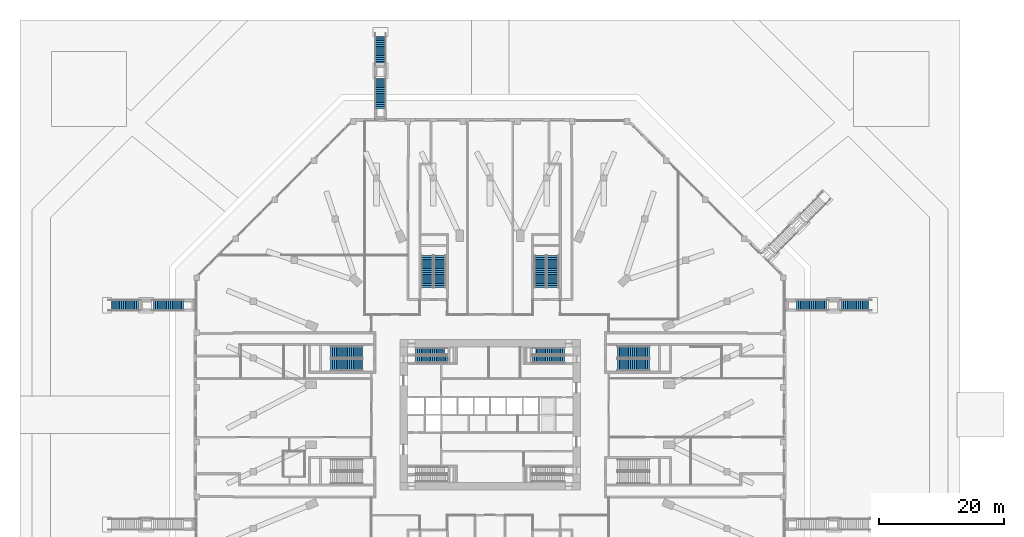
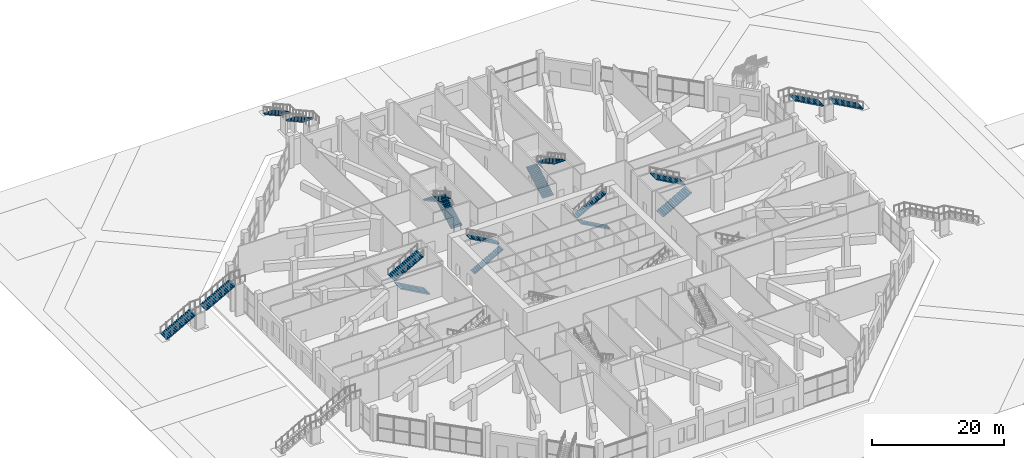
# One storey, part 30 of 36: 18 stair flights, 9 elements without a shape of their own.
"""IFC4 building model written with IfcOpenShell, lengths in metres."""

from ifc_helpers import new_model, si_unit, direction, frame, origin, place, context, subcontext, project, spatial, polyline, outline, extrude, material, constituent, constituent_set, type_object, element, aggregate, save


model = new_model("IFC4")

# Units and contexts
model_context = context("Model", 3, precision=1e-05, world=origin(), true_north=direction((0.0, 1.0)))
body_context = subcontext(model_context, "Body", "Model", "MODEL_VIEW")
ifc_project = project(units=[si_unit("LENGTHUNIT", "METRE"), si_unit("AREAUNIT", "SQUARE_METRE"), si_unit("VOLUMEUNIT", "CUBIC_METRE"), si_unit("PLANEANGLEUNIT", "RADIAN"), si_unit("MASSUNIT", "GRAM", prefix="KILO")], contexts=[model_context])

# Site, building, storey
site_placement = place(None, origin())
site = spatial("IfcSite", under=ifc_project, at=site_placement, CompositionType="ELEMENT")
building_placement = place(site_placement, origin())
building = spatial("IfcBuilding", under=site, at=building_placement, Name="Msitu Wima Residences", CompositionType="ELEMENT")
storey_placement = place(building_placement, origin())
storey = spatial("IfcBuildingStorey", under=building, at=storey_placement, Name="L00", CompositionType="ELEMENT", Elevation=0.0)

# Stair, stair flights
ifc_material_1 = material(Name="Concrete C40/50", Category="concrete")
stair_type_1 = type_object("IfcStairType", Name="Exit stair ES1667-110", PredefinedType="HALF_TURN_STAIR", material=ifc_material_1)
stair_1_placement = place(storey_placement, origin())
stair_1 = element("IfcStair", 1, at=stair_1_placement, inside=storey, type_object=stair_type_1, Name="Exit stair 1", PredefinedType="HALF_TURN_STAIR")
stair_flight_type_1 = type_object("IfcStairFlightType", Name="Exit stair flight ES1667-110", PredefinedType="STRAIGHT", material=ifc_material_1)
stair_flight_1_placement = place(storey_placement, frame((-11.875, 8.875, 0.0), z_axis=(0.0, 0.0, 1.0), x_axis=(1.0, 0.0, 0.0)))
stair_flight_1 = element("IfcStairFlight", 2, at=stair_flight_1_placement, type_object=stair_flight_type_1, Name="S1 flight 1", NumberOfRisers=18, NumberOfTreads=17, PredefinedType="STRAIGHT", RiserHeight=0.166666667, TreadLength=0.3, context=body_context, shape_type="SweptSolid", body=[
    extrude(outline(polyline([(0.0, 0.0), (0.0, 0.166748046875), (0.300048828125, 0.166748046875), (0.300048828125, 0.333251953125), (0.60009765625, 0.333251953125), (0.60009765625, 0.5), (0.89990234375, 0.5), (0.89990234375, 0.666748046875), (1.199951171875, 0.666748046875), (1.199951171875, 0.833251953125), (1.5, 0.833251953125), (1.5, 1.0), (1.800048828125, 1.0), (1.800048828125, 1.166748046875), (2.10009765625, 1.166748046875), (2.10009765625, 1.333251953125), (2.39990234375, 1.333251953125), (2.39990234375, 1.5), (2.699951171875, 1.5), (2.699951171875, 1.666748046875), (3.0, 1.666748046875), (3.0, 1.833251953125), (3.300048828125, 1.833251953125), (3.300048828125, 2.0), (3.60009765625, 2.0), (3.60009765625, 2.166748046875), (3.89990234375, 2.166748046875), (3.89990234375, 2.333251953125), (4.199951171875, 2.333251953125), (4.199951171875, 2.5), (4.5, 2.5), (4.5, 2.666748046875), (4.800048828125, 2.666748046875), (4.800048828125, 2.833251953125), (5.10009765625, 2.833251953125), (5.10009765625, 3.0), (5.10009765625, 2.661865234375), (0.30859375, 0.0), (0.0, 0.0)])), frame((0.0, 0.550048828125, 0.0), z_axis=(0.0, -1.0, 0.0), x_axis=(1.0, 0.0, 0.0)), (0.0, 0.0, 1.0), 1.10009765625),
])
stair_flight_2_placement = place(storey_placement, frame((-6.77490234375, 10.125, 3.0), z_axis=(0.0, 0.0, 1.0), x_axis=(-1.0, 0.0, 0.0)))
stair_flight_2 = element("IfcStairFlight", 3, at=stair_flight_2_placement, type_object=stair_flight_type_1, Name="S1 flight 2", NumberOfRisers=18, NumberOfTreads=17, PredefinedType="STRAIGHT", RiserHeight=0.166666667, TreadLength=0.3, context=body_context, shape_type="SweptSolid", body=[
    extrude(outline(polyline([(0.0, 0.0), (0.0, 0.166748046875), (0.300048828125, 0.166748046875), (0.300048828125, 0.333251953125), (0.60009765625, 0.333251953125), (0.60009765625, 0.5), (0.89990234375, 0.5), (0.89990234375, 0.666748046875), (1.199951171875, 0.666748046875), (1.199951171875, 0.833251953125), (1.5, 0.833251953125), (1.5, 1.0), (1.800048828125, 1.0), (1.800048828125, 1.166748046875), (2.10009765625, 1.166748046875), (2.10009765625, 1.333251953125), (2.39990234375, 1.333251953125), (2.39990234375, 1.5), (2.699951171875, 1.5), (2.699951171875, 1.666748046875), (3.0, 1.666748046875), (3.0, 1.833251953125), (3.300048828125, 1.833251953125), (3.300048828125, 2.0), (3.60009765625, 2.0), (3.60009765625, 2.166748046875), (3.89990234375, 2.166748046875), (3.89990234375, 2.333251953125), (4.199951171875, 2.333251953125), (4.199951171875, 2.5), (4.5, 2.5), (4.5, 2.666748046875), (4.800048828125, 2.666748046875), (4.800048828125, 2.833251953125), (5.10009765625, 2.833251953125), (5.10009765625, 3.0), (5.10009765625, 2.661865234375), (0.30859375, 0.0), (0.0, 0.0)])), frame((0.0, 0.550048828125, 0.0), z_axis=(0.0, -1.0, 0.0), x_axis=(1.0, 0.0, 0.0)), (0.0, 0.0, 1.0), 1.10009765625),
])
aggregate(stair_1, [stair_flight_1, stair_flight_2])

stair_2_placement = place(storey_placement, origin())
stair_2 = element("IfcStair", 4, at=stair_2_placement, inside=storey, type_object=stair_type_1, Name="Exit stair 3", PredefinedType="HALF_TURN_STAIR")
stair_flight_3_placement = place(storey_placement, frame((11.875, 8.875, 0.0), z_axis=(0.0, 0.0, 1.0), x_axis=(-1.0, 0.0, 0.0)))
stair_flight_3 = element("IfcStairFlight", 5, at=stair_flight_3_placement, type_object=stair_flight_type_1, Name="S3 flight 1", NumberOfRisers=18, NumberOfTreads=17, PredefinedType="STRAIGHT", RiserHeight=0.166666667, TreadLength=0.3, context=body_context, shape_type="SweptSolid", body=[
    extrude(outline(polyline([(0.0, 0.0), (0.0, 0.166748046875), (0.300048828125, 0.166748046875), (0.300048828125, 0.333251953125), (0.60009765625, 0.333251953125), (0.60009765625, 0.5), (0.89990234375, 0.5), (0.89990234375, 0.666748046875), (1.199951171875, 0.666748046875), (1.199951171875, 0.833251953125), (1.5, 0.833251953125), (1.5, 1.0), (1.800048828125, 1.0), (1.800048828125, 1.166748046875), (2.10009765625, 1.166748046875), (2.10009765625, 1.333251953125), (2.39990234375, 1.333251953125), (2.39990234375, 1.5), (2.699951171875, 1.5), (2.699951171875, 1.666748046875), (3.0, 1.666748046875), (3.0, 1.833251953125), (3.300048828125, 1.833251953125), (3.300048828125, 2.0), (3.60009765625, 2.0), (3.60009765625, 2.166748046875), (3.89990234375, 2.166748046875), (3.89990234375, 2.333251953125), (4.199951171875, 2.333251953125), (4.199951171875, 2.5), (4.5, 2.5), (4.5, 2.666748046875), (4.800048828125, 2.666748046875), (4.800048828125, 2.833251953125), (5.10009765625, 2.833251953125), (5.10009765625, 3.0), (5.10009765625, 2.661865234375), (0.30859375, 0.0), (0.0, 0.0)])), frame((0.0, 0.550048828125, 0.0), z_axis=(0.0, -1.0, 0.0), x_axis=(1.0, 0.0, 0.0)), (0.0, 0.0, 1.0), 1.10009765625),
])
stair_flight_4_placement = place(storey_placement, frame((6.77490234375, 10.125, 3.0), z_axis=(0.0, 0.0, 1.0), x_axis=(1.0, 0.0, 0.0)))
stair_flight_4 = element("IfcStairFlight", 6, at=stair_flight_4_placement, type_object=stair_flight_type_1, Name="S3 flight 2", NumberOfRisers=18, NumberOfTreads=17, PredefinedType="STRAIGHT", RiserHeight=0.166666667, TreadLength=0.3, context=body_context, shape_type="SweptSolid", body=[
    extrude(outline(polyline([(0.0, 0.0), (0.0, 0.166748046875), (0.300048828125, 0.166748046875), (0.300048828125, 0.333251953125), (0.60009765625, 0.333251953125), (0.60009765625, 0.5), (0.89990234375, 0.5), (0.89990234375, 0.666748046875), (1.199951171875, 0.666748046875), (1.199951171875, 0.833251953125), (1.5, 0.833251953125), (1.5, 1.0), (1.800048828125, 1.0), (1.800048828125, 1.166748046875), (2.10009765625, 1.166748046875), (2.10009765625, 1.333251953125), (2.39990234375, 1.333251953125), (2.39990234375, 1.5), (2.699951171875, 1.5), (2.699951171875, 1.666748046875), (3.0, 1.666748046875), (3.0, 1.833251953125), (3.300048828125, 1.833251953125), (3.300048828125, 2.0), (3.60009765625, 2.0), (3.60009765625, 2.166748046875), (3.89990234375, 2.166748046875), (3.89990234375, 2.333251953125), (4.199951171875, 2.333251953125), (4.199951171875, 2.5), (4.5, 2.5), (4.5, 2.666748046875), (4.800048828125, 2.666748046875), (4.800048828125, 2.833251953125), (5.10009765625, 2.833251953125), (5.10009765625, 3.0), (5.10009765625, 2.661865234375), (0.30859375, 0.0), (0.0, 0.0)])), frame((0.0, 0.550048828125, 0.0), z_axis=(0.0, -1.0, 0.0), x_axis=(1.0, 0.0, 0.0)), (0.0, 0.0, 1.0), 1.10009765625),
])
aggregate(stair_2, [stair_flight_3, stair_flight_4])

ifc_constituent_1 = constituent(ifc_material_1, Name="Concrete C40/50")
ifc_material_2 = material(Name="Exposed aggregate finish")
ifc_constituent_2 = constituent(ifc_material_2, Name="Exposed aggregate finish")
ifc_constituent_set_1 = constituent_set(constituents=[ifc_constituent_1, ifc_constituent_2], Name="Concrete C40/50")
stair_type_2 = type_object("IfcStairType", Name="Garden stair GX1667-180", PredefinedType="STRAIGHT_RUN_STAIR", material=ifc_constituent_set_1)
stair_3_placement = place(storey_placement, origin())
stair_3 = element("IfcStair", 7, at=stair_3_placement, inside=storey, type_object=stair_type_2, Name="Garden stair 1", PredefinedType="STRAIGHT_RUN_STAIR")
ifc_constituent_3 = constituent(ifc_material_1, Name="Concrete C40/50")
ifc_constituent_4 = constituent(ifc_material_2, Name="Exposed aggregate finish")
ifc_constituent_set_2 = constituent_set(constituents=[ifc_constituent_3, ifc_constituent_4], Name="Concrete C40/50")
stair_flight_type_2 = type_object("IfcStairFlightType", Name="Garden stair flight GX1667-180", PredefinedType="STRAIGHT", material=ifc_constituent_set_2)
stair_flight_5_placement = place(storey_placement, frame((60.89990234375, 17.484619140625, 0.0), z_axis=(0.0, 0.0, 1.0), x_axis=(-1.0, 0.0, 0.0)))
stair_flight_5 = element("IfcStairFlight", 8, at=stair_flight_5_placement, type_object=stair_flight_type_2, Name="GS1 flight 1", NumberOfRisers=18, NumberOfTreads=17, PredefinedType="STRAIGHT", RiserHeight=0.166667, TreadLength=0.3, context=body_context, shape_type="SweptSolid", body=[
    extrude(outline(polyline([(0.0, 0.0), (0.0, 0.166748046875), (0.300048828125, 0.166748046875), (0.300048828125, 0.333251953125), (0.60009765625, 0.333251953125), (0.60009765625, 0.5), (0.89990234375, 0.5), (0.89990234375, 0.666748046875), (1.199951171875, 0.666748046875), (1.199951171875, 0.833251953125), (1.5, 0.833251953125), (1.5, 1.0), (1.800048828125, 1.0), (1.800048828125, 1.166748046875), (2.10009765625, 1.166748046875), (2.10009765625, 1.333251953125), (2.39990234375, 1.333251953125), (2.39990234375, 1.5), (2.699951171875, 1.5), (2.699951171875, 1.666748046875), (3.0, 1.666748046875), (3.0, 1.833251953125), (3.300048828125, 1.833251953125), (3.300048828125, 2.0), (3.60009765625, 2.0), (3.60009765625, 2.166748046875), (3.89990234375, 2.166748046875), (3.89990234375, 2.333251953125), (4.199951171875, 2.333251953125), (4.199951171875, 2.5), (4.5, 2.5), (4.5, 2.666748046875), (4.800048828125, 2.666748046875), (4.800048828125, 2.833251953125), (5.10009765625, 2.833251953125), (5.10009765625, 3.0), (5.10009765625, 2.661865234375), (0.30859375, 0.0), (0.0, 0.0)])), frame((0.0, 0.89990234375, 0.0), z_axis=(0.0, -1.0, 0.0), x_axis=(1.0, 0.0, 0.0)), (0.0, 0.0, 1.0), 1.800048828125),
])
stair_flight_6_placement = place(storey_placement, frame((54.0, 17.484619140625, 3.0), z_axis=(0.0, 0.0, 1.0), x_axis=(-1.0, 0.0, 0.0)))
stair_flight_6 = element("IfcStairFlight", 9, at=stair_flight_6_placement, type_object=stair_flight_type_2, Name="GS1 flight 2", NumberOfRisers=18, NumberOfTreads=17, PredefinedType="STRAIGHT", RiserHeight=0.166667, TreadLength=0.3, context=body_context, shape_type="SweptSolid", body=[
    extrude(outline(polyline([(0.0, 0.0), (0.0, 0.166748046875), (0.300048828125, 0.166748046875), (0.300048828125, 0.333251953125), (0.60009765625, 0.333251953125), (0.60009765625, 0.5), (0.89990234375, 0.5), (0.89990234375, 0.666748046875), (1.199951171875, 0.666748046875), (1.199951171875, 0.833251953125), (1.5, 0.833251953125), (1.5, 1.0), (1.800048828125, 1.0), (1.800048828125, 1.166748046875), (2.10009765625, 1.166748046875), (2.10009765625, 1.333251953125), (2.39990234375, 1.333251953125), (2.39990234375, 1.5), (2.699951171875, 1.5), (2.699951171875, 1.666748046875), (3.0, 1.666748046875), (3.0, 1.833251953125), (3.300048828125, 1.833251953125), (3.300048828125, 2.0), (3.60009765625, 2.0), (3.60009765625, 2.166748046875), (3.89990234375, 2.166748046875), (3.89990234375, 2.333251953125), (4.199951171875, 2.333251953125), (4.199951171875, 2.5), (4.5, 2.5), (4.5, 2.666748046875), (4.800048828125, 2.666748046875), (4.800048828125, 2.833251953125), (5.10009765625, 2.833251953125), (5.10009765625, 3.0), (5.10009765625, 2.661865234375), (0.30859375, 0.0), (0.0, 0.0)])), frame((0.0, 0.89990234375, 0.0), z_axis=(0.0, -1.0, 0.0), x_axis=(1.0, 0.0, 0.0)), (0.0, 0.0, 1.0), 1.800048828125),
])
aggregate(stair_3, [stair_flight_5, stair_flight_6])

stair_4_placement = place(storey_placement, origin())
stair_4 = element("IfcStair", 10, at=stair_4_placement, inside=storey, type_object=stair_type_2, Name="Garden stair 4", PredefinedType="STRAIGHT_RUN_STAIR")
stair_flight_7_placement = place(storey_placement, frame((-60.89990234375, 17.484619140625, 0.0), z_axis=(0.0, 0.0, 1.0), x_axis=(1.0, 0.0, 0.0)))
stair_flight_7 = element("IfcStairFlight", 11, at=stair_flight_7_placement, type_object=stair_flight_type_2, Name="GS4 flight 1", NumberOfRisers=18, NumberOfTreads=17, PredefinedType="STRAIGHT", RiserHeight=0.166667, TreadLength=0.3, context=body_context, shape_type="SweptSolid", body=[
    extrude(outline(polyline([(0.0, 0.0), (0.0, 0.166748046875), (0.300048828125, 0.166748046875), (0.300048828125, 0.333251953125), (0.60009765625, 0.333251953125), (0.60009765625, 0.5), (0.89990234375, 0.5), (0.89990234375, 0.666748046875), (1.199951171875, 0.666748046875), (1.199951171875, 0.833251953125), (1.5, 0.833251953125), (1.5, 1.0), (1.800048828125, 1.0), (1.800048828125, 1.166748046875), (2.10009765625, 1.166748046875), (2.10009765625, 1.333251953125), (2.39990234375, 1.333251953125), (2.39990234375, 1.5), (2.699951171875, 1.5), (2.699951171875, 1.666748046875), (3.0, 1.666748046875), (3.0, 1.833251953125), (3.300048828125, 1.833251953125), (3.300048828125, 2.0), (3.60009765625, 2.0), (3.60009765625, 2.166748046875), (3.89990234375, 2.166748046875), (3.89990234375, 2.333251953125), (4.199951171875, 2.333251953125), (4.199951171875, 2.5), (4.5, 2.5), (4.5, 2.666748046875), (4.800048828125, 2.666748046875), (4.800048828125, 2.833251953125), (5.10009765625, 2.833251953125), (5.10009765625, 3.0), (5.10009765625, 2.661865234375), (0.30859375, 0.0), (0.0, 0.0)])), frame((0.0, 0.89990234375, 0.0), z_axis=(0.0, -1.0, 0.0), x_axis=(1.0, 0.0, 0.0)), (0.0, 0.0, 1.0), 1.800048828125),
])
stair_flight_8_placement = place(storey_placement, frame((-54.0, 17.484619140625, 3.0), z_axis=(0.0, 0.0, 1.0), x_axis=(1.0, 0.0, 0.0)))
stair_flight_8 = element("IfcStairFlight", 12, at=stair_flight_8_placement, type_object=stair_flight_type_2, Name="GS4 flight 2", NumberOfRisers=18, NumberOfTreads=17, PredefinedType="STRAIGHT", RiserHeight=0.166667, TreadLength=0.3, context=body_context, shape_type="SweptSolid", body=[
    extrude(outline(polyline([(0.0, 0.0), (0.0, 0.166748046875), (0.300048828125, 0.166748046875), (0.300048828125, 0.333251953125), (0.60009765625, 0.333251953125), (0.60009765625, 0.5), (0.89990234375, 0.5), (0.89990234375, 0.666748046875), (1.199951171875, 0.666748046875), (1.199951171875, 0.833251953125), (1.5, 0.833251953125), (1.5, 1.0), (1.800048828125, 1.0), (1.800048828125, 1.166748046875), (2.10009765625, 1.166748046875), (2.10009765625, 1.333251953125), (2.39990234375, 1.333251953125), (2.39990234375, 1.5), (2.699951171875, 1.5), (2.699951171875, 1.666748046875), (3.0, 1.666748046875), (3.0, 1.833251953125), (3.300048828125, 1.833251953125), (3.300048828125, 2.0), (3.60009765625, 2.0), (3.60009765625, 2.166748046875), (3.89990234375, 2.166748046875), (3.89990234375, 2.333251953125), (4.199951171875, 2.333251953125), (4.199951171875, 2.5), (4.5, 2.5), (4.5, 2.666748046875), (4.800048828125, 2.666748046875), (4.800048828125, 2.833251953125), (5.10009765625, 2.833251953125), (5.10009765625, 3.0), (5.10009765625, 2.661865234375), (0.30859375, 0.0), (0.0, 0.0)])), frame((0.0, 0.89990234375, 0.0), z_axis=(0.0, -1.0, 0.0), x_axis=(1.0, 0.0, 0.0)), (0.0, 0.0, 1.0), 1.800048828125),
])
aggregate(stair_4, [stair_flight_7, stair_flight_8])

stair_5_placement = place(storey_placement, origin())
stair_5 = element("IfcStair", 13, at=stair_5_placement, inside=storey, type_object=stair_type_2, Name="Garden stair 5", PredefinedType="STRAIGHT_RUN_STAIR")
stair_flight_9_placement = place(storey_placement, frame((-17.484619140625, 60.89990234375, 0.0), z_axis=(0.0, 0.0, 1.0), x_axis=(0.0, -1.0, 0.0)))
stair_flight_9 = element("IfcStairFlight", 14, at=stair_flight_9_placement, type_object=stair_flight_type_2, Name="GS5 flight 1", NumberOfRisers=18, NumberOfTreads=17, PredefinedType="STRAIGHT", RiserHeight=0.166667, TreadLength=0.3, context=body_context, shape_type="SweptSolid", body=[
    extrude(outline(polyline([(0.0, 0.0), (0.0, 0.166748046875), (0.300048828125, 0.166748046875), (0.300048828125, 0.333251953125), (0.60009765625, 0.333251953125), (0.60009765625, 0.5), (0.89990234375, 0.5), (0.89990234375, 0.666748046875), (1.199951171875, 0.666748046875), (1.199951171875, 0.833251953125), (1.5, 0.833251953125), (1.5, 1.0), (1.800048828125, 1.0), (1.800048828125, 1.166748046875), (2.10009765625, 1.166748046875), (2.10009765625, 1.333251953125), (2.39990234375, 1.333251953125), (2.39990234375, 1.5), (2.699951171875, 1.5), (2.699951171875, 1.666748046875), (3.0, 1.666748046875), (3.0, 1.833251953125), (3.300048828125, 1.833251953125), (3.300048828125, 2.0), (3.60009765625, 2.0), (3.60009765625, 2.166748046875), (3.89990234375, 2.166748046875), (3.89990234375, 2.333251953125), (4.199951171875, 2.333251953125), (4.199951171875, 2.5), (4.5, 2.5), (4.5, 2.666748046875), (4.800048828125, 2.666748046875), (4.800048828125, 2.833251953125), (5.10009765625, 2.833251953125), (5.10009765625, 3.0), (5.10009765625, 2.661865234375), (0.30859375, 0.0), (0.0, 0.0)])), frame((0.0, 0.89990234375, 0.0), z_axis=(0.0, -1.0, 0.0), x_axis=(1.0, 0.0, 0.0)), (0.0, 0.0, 1.0), 1.800048828125),
])
stair_flight_10_placement = place(storey_placement, frame((-17.484619140625, 54.0, 3.0), z_axis=(0.0, 0.0, 1.0), x_axis=(0.0, -1.0, 0.0)))
stair_flight_10 = element("IfcStairFlight", 15, at=stair_flight_10_placement, type_object=stair_flight_type_2, Name="GS5 flight 2", NumberOfRisers=18, NumberOfTreads=17, PredefinedType="STRAIGHT", RiserHeight=0.166667, TreadLength=0.3, context=body_context, shape_type="SweptSolid", body=[
    extrude(outline(polyline([(0.0, 0.0), (0.0, 0.166748046875), (0.300048828125, 0.166748046875), (0.300048828125, 0.333251953125), (0.60009765625, 0.333251953125), (0.60009765625, 0.5), (0.89990234375, 0.5), (0.89990234375, 0.666748046875), (1.199951171875, 0.666748046875), (1.199951171875, 0.833251953125), (1.5, 0.833251953125), (1.5, 1.0), (1.800048828125, 1.0), (1.800048828125, 1.166748046875), (2.10009765625, 1.166748046875), (2.10009765625, 1.333251953125), (2.39990234375, 1.333251953125), (2.39990234375, 1.5), (2.699951171875, 1.5), (2.699951171875, 1.666748046875), (3.0, 1.666748046875), (3.0, 1.833251953125), (3.300048828125, 1.833251953125), (3.300048828125, 2.0), (3.60009765625, 2.0), (3.60009765625, 2.166748046875), (3.89990234375, 2.166748046875), (3.89990234375, 2.333251953125), (4.199951171875, 2.333251953125), (4.199951171875, 2.5), (4.5, 2.5), (4.5, 2.666748046875), (4.800048828125, 2.666748046875), (4.800048828125, 2.833251953125), (5.10009765625, 2.833251953125), (5.10009765625, 3.0), (5.10009765625, 2.661865234375), (0.30859375, 0.0), (0.0, 0.0)])), frame((0.0, 0.89990234375, 0.0), z_axis=(0.0, -1.0, 0.0), x_axis=(1.0, 0.0, 0.0)), (0.0, 0.0, 1.0), 1.800048828125),
])
aggregate(stair_5, [stair_flight_9, stair_flight_10])

stair_type_3 = type_object("IfcStairType", Name="Podium exit stair PX1667-190", PredefinedType="HALF_TURN_STAIR", material=ifc_material_1)
stair_6_placement = place(storey_placement, origin())
stair_6 = element("IfcStair", 16, at=stair_6_placement, inside=storey, type_object=stair_type_3, Name="Podium exit stair 1", PredefinedType="HALF_TURN_STAIR")
stair_flight_type_3 = type_object("IfcStairFlightType", Name="Podium exit stair flight PX1667-190", PredefinedType="STRAIGHT", material=ifc_material_1)
stair_flight_11_placement = place(storey_placement, frame((20.324951171875, 8.0, 0.0), z_axis=(0.0, 0.0, 1.0), x_axis=(1.0, 0.0, 0.0)))
stair_flight_11 = element("IfcStairFlight", 17, at=stair_flight_11_placement, type_object=stair_flight_type_3, Name="PS1 flight 1", NumberOfRisers=18, NumberOfTreads=17, PredefinedType="STRAIGHT", RiserHeight=0.166666667, TreadLength=0.3, context=body_context, shape_type="SweptSolid", body=[
    extrude(outline(polyline([(0.0, 0.0), (0.0, 0.166748046875), (0.300048828125, 0.166748046875), (0.300048828125, 0.333251953125), (0.60009765625, 0.333251953125), (0.60009765625, 0.5), (0.89990234375, 0.5), (0.89990234375, 0.666748046875), (1.199951171875, 0.666748046875), (1.199951171875, 0.833251953125), (1.5, 0.833251953125), (1.5, 1.0), (1.800048828125, 1.0), (1.800048828125, 1.166748046875), (2.10009765625, 1.166748046875), (2.10009765625, 1.333251953125), (2.39990234375, 1.333251953125), (2.39990234375, 1.5), (2.699951171875, 1.5), (2.699951171875, 1.666748046875), (3.0, 1.666748046875), (3.0, 1.833251953125), (3.300048828125, 1.833251953125), (3.300048828125, 2.0), (3.60009765625, 2.0), (3.60009765625, 2.166748046875), (3.89990234375, 2.166748046875), (3.89990234375, 2.333251953125), (4.199951171875, 2.333251953125), (4.199951171875, 2.5), (4.5, 2.5), (4.5, 2.666748046875), (4.800048828125, 2.666748046875), (4.800048828125, 2.833251953125), (5.10009765625, 2.833251953125), (5.10009765625, 3.0), (5.10009765625, 2.661865234375), (0.30859375, 0.0), (0.0, 0.0)])), frame((0.0, 0.949951171875, 0.0), z_axis=(0.0, -1.0, 0.0), x_axis=(1.0, 0.0, 0.0)), (0.0, 0.0, 1.0), 1.89990234375),
])
stair_flight_12_placement = place(storey_placement, frame((25.425048828125, 10.0, 3.0), z_axis=(0.0, 0.0, 1.0), x_axis=(-1.0, 0.0, 0.0)))
stair_flight_12 = element("IfcStairFlight", 18, at=stair_flight_12_placement, type_object=stair_flight_type_3, Name="PS1 flight 2", NumberOfRisers=18, NumberOfTreads=17, PredefinedType="STRAIGHT", RiserHeight=0.166666667, TreadLength=0.3, context=body_context, shape_type="SweptSolid", body=[
    extrude(outline(polyline([(0.0, 0.0), (0.0, 0.166748046875), (0.300048828125, 0.166748046875), (0.300048828125, 0.333251953125), (0.60009765625, 0.333251953125), (0.60009765625, 0.5), (0.89990234375, 0.5), (0.89990234375, 0.666748046875), (1.199951171875, 0.666748046875), (1.199951171875, 0.833251953125), (1.5, 0.833251953125), (1.5, 1.0), (1.800048828125, 1.0), (1.800048828125, 1.166748046875), (2.10009765625, 1.166748046875), (2.10009765625, 1.333251953125), (2.39990234375, 1.333251953125), (2.39990234375, 1.5), (2.699951171875, 1.5), (2.699951171875, 1.666748046875), (3.0, 1.666748046875), (3.0, 1.833251953125), (3.300048828125, 1.833251953125), (3.300048828125, 2.0), (3.60009765625, 2.0), (3.60009765625, 2.166748046875), (3.89990234375, 2.166748046875), (3.89990234375, 2.333251953125), (4.199951171875, 2.333251953125), (4.199951171875, 2.5), (4.5, 2.5), (4.5, 2.666748046875), (4.800048828125, 2.666748046875), (4.800048828125, 2.833251953125), (5.10009765625, 2.833251953125), (5.10009765625, 3.0), (5.10009765625, 2.661865234375), (0.30859375, 0.0), (0.0, 0.0)])), frame((0.0, 0.949951171875, 0.0), z_axis=(0.0, -1.0, 0.0), x_axis=(1.0, 0.0, 0.0)), (0.0, 0.0, 1.0), 1.89990234375),
])
aggregate(stair_6, [stair_flight_11, stair_flight_12])

stair_7_placement = place(storey_placement, origin())
stair_7 = element("IfcStair", 19, at=stair_7_placement, inside=storey, type_object=stair_type_3, Name="Podium exit stair 3", PredefinedType="HALF_TURN_STAIR")
stair_flight_13_placement = place(storey_placement, frame((-8.0, 20.324951171875, 0.0), z_axis=(0.0, 0.0, 1.0), x_axis=(0.0, 1.0, 0.0)))
stair_flight_13 = element("IfcStairFlight", 20, at=stair_flight_13_placement, type_object=stair_flight_type_3, Name="PS3 flight 1", NumberOfRisers=18, NumberOfTreads=17, PredefinedType="STRAIGHT", RiserHeight=0.166666667, TreadLength=0.3, context=body_context, shape_type="SweptSolid", body=[
    extrude(outline(polyline([(0.0, 0.0), (0.0, 0.166748046875), (0.300048828125, 0.166748046875), (0.300048828125, 0.333251953125), (0.60009765625, 0.333251953125), (0.60009765625, 0.5), (0.89990234375, 0.5), (0.89990234375, 0.666748046875), (1.199951171875, 0.666748046875), (1.199951171875, 0.833251953125), (1.5, 0.833251953125), (1.5, 1.0), (1.800048828125, 1.0), (1.800048828125, 1.166748046875), (2.10009765625, 1.166748046875), (2.10009765625, 1.333251953125), (2.39990234375, 1.333251953125), (2.39990234375, 1.5), (2.699951171875, 1.5), (2.699951171875, 1.666748046875), (3.0, 1.666748046875), (3.0, 1.833251953125), (3.300048828125, 1.833251953125), (3.300048828125, 2.0), (3.60009765625, 2.0), (3.60009765625, 2.166748046875), (3.89990234375, 2.166748046875), (3.89990234375, 2.333251953125), (4.199951171875, 2.333251953125), (4.199951171875, 2.5), (4.5, 2.5), (4.5, 2.666748046875), (4.800048828125, 2.666748046875), (4.800048828125, 2.833251953125), (5.10009765625, 2.833251953125), (5.10009765625, 3.0), (5.10009765625, 2.661865234375), (0.30859375, 0.0), (0.0, 0.0)])), frame((0.0, 0.949951171875, 0.0), z_axis=(0.0, -1.0, 0.0), x_axis=(1.0, 0.0, 0.0)), (0.0, 0.0, 1.0), 1.89990234375),
])
stair_flight_14_placement = place(storey_placement, frame((-10.0, 25.425048828125, 3.0), z_axis=(0.0, 0.0, 1.0), x_axis=(0.0, -1.0, 0.0)))
stair_flight_14 = element("IfcStairFlight", 21, at=stair_flight_14_placement, type_object=stair_flight_type_3, Name="PS3 flight 2", NumberOfRisers=18, NumberOfTreads=17, PredefinedType="STRAIGHT", RiserHeight=0.166666667, TreadLength=0.3, context=body_context, shape_type="SweptSolid", body=[
    extrude(outline(polyline([(0.0, 0.0), (0.0, 0.166748046875), (0.300048828125, 0.166748046875), (0.300048828125, 0.333251953125), (0.60009765625, 0.333251953125), (0.60009765625, 0.5), (0.89990234375, 0.5), (0.89990234375, 0.666748046875), (1.199951171875, 0.666748046875), (1.199951171875, 0.833251953125), (1.5, 0.833251953125), (1.5, 1.0), (1.800048828125, 1.0), (1.800048828125, 1.166748046875), (2.10009765625, 1.166748046875), (2.10009765625, 1.333251953125), (2.39990234375, 1.333251953125), (2.39990234375, 1.5), (2.699951171875, 1.5), (2.699951171875, 1.666748046875), (3.0, 1.666748046875), (3.0, 1.833251953125), (3.300048828125, 1.833251953125), (3.300048828125, 2.0), (3.60009765625, 2.0), (3.60009765625, 2.166748046875), (3.89990234375, 2.166748046875), (3.89990234375, 2.333251953125), (4.199951171875, 2.333251953125), (4.199951171875, 2.5), (4.5, 2.5), (4.5, 2.666748046875), (4.800048828125, 2.666748046875), (4.800048828125, 2.833251953125), (5.10009765625, 2.833251953125), (5.10009765625, 3.0), (5.10009765625, 2.661865234375), (0.30859375, 0.0), (0.0, 0.0)])), frame((0.0, 0.949951171875, 0.0), z_axis=(0.0, -1.0, 0.0), x_axis=(1.0, 0.0, 0.0)), (0.0, 0.0, 1.0), 1.89990234375),
])
aggregate(stair_7, [stair_flight_13, stair_flight_14])

stair_8_placement = place(storey_placement, origin())
stair_8 = element("IfcStair", 22, at=stair_8_placement, inside=storey, type_object=stair_type_3, Name="Podium exit stair 4", PredefinedType="HALF_TURN_STAIR")
stair_flight_15_placement = place(storey_placement, frame((8.0, 20.324951171875, 0.0), z_axis=(0.0, 0.0, 1.0), x_axis=(0.0, 1.0, 0.0)))
stair_flight_15 = element("IfcStairFlight", 23, at=stair_flight_15_placement, type_object=stair_flight_type_3, Name="PS4 flight 1", NumberOfRisers=18, NumberOfTreads=17, PredefinedType="STRAIGHT", RiserHeight=0.166666667, TreadLength=0.3, context=body_context, shape_type="SweptSolid", body=[
    extrude(outline(polyline([(0.0, 0.0), (0.0, 0.166748046875), (0.300048828125, 0.166748046875), (0.300048828125, 0.333251953125), (0.60009765625, 0.333251953125), (0.60009765625, 0.5), (0.89990234375, 0.5), (0.89990234375, 0.666748046875), (1.199951171875, 0.666748046875), (1.199951171875, 0.833251953125), (1.5, 0.833251953125), (1.5, 1.0), (1.800048828125, 1.0), (1.800048828125, 1.166748046875), (2.10009765625, 1.166748046875), (2.10009765625, 1.333251953125), (2.39990234375, 1.333251953125), (2.39990234375, 1.5), (2.699951171875, 1.5), (2.699951171875, 1.666748046875), (3.0, 1.666748046875), (3.0, 1.833251953125), (3.300048828125, 1.833251953125), (3.300048828125, 2.0), (3.60009765625, 2.0), (3.60009765625, 2.166748046875), (3.89990234375, 2.166748046875), (3.89990234375, 2.333251953125), (4.199951171875, 2.333251953125), (4.199951171875, 2.5), (4.5, 2.5), (4.5, 2.666748046875), (4.800048828125, 2.666748046875), (4.800048828125, 2.833251953125), (5.10009765625, 2.833251953125), (5.10009765625, 3.0), (5.10009765625, 2.661865234375), (0.30859375, 0.0), (0.0, 0.0)])), frame((0.0, 0.949951171875, 0.0), z_axis=(0.0, -1.0, 0.0), x_axis=(1.0, 0.0, 0.0)), (0.0, 0.0, 1.0), 1.89990234375),
])
stair_flight_16_placement = place(storey_placement, frame((10.0, 25.425048828125, 3.0), z_axis=(0.0, 0.0, 1.0), x_axis=(0.0, -1.0, 0.0)))
stair_flight_16 = element("IfcStairFlight", 24, at=stair_flight_16_placement, type_object=stair_flight_type_3, Name="PS4 flight 2", NumberOfRisers=18, NumberOfTreads=17, PredefinedType="STRAIGHT", RiserHeight=0.166666667, TreadLength=0.3, context=body_context, shape_type="SweptSolid", body=[
    extrude(outline(polyline([(0.0, 0.0), (0.0, 0.166748046875), (0.300048828125, 0.166748046875), (0.300048828125, 0.333251953125), (0.60009765625, 0.333251953125), (0.60009765625, 0.5), (0.89990234375, 0.5), (0.89990234375, 0.666748046875), (1.199951171875, 0.666748046875), (1.199951171875, 0.833251953125), (1.5, 0.833251953125), (1.5, 1.0), (1.800048828125, 1.0), (1.800048828125, 1.166748046875), (2.10009765625, 1.166748046875), (2.10009765625, 1.333251953125), (2.39990234375, 1.333251953125), (2.39990234375, 1.5), (2.699951171875, 1.5), (2.699951171875, 1.666748046875), (3.0, 1.666748046875), (3.0, 1.833251953125), (3.300048828125, 1.833251953125), (3.300048828125, 2.0), (3.60009765625, 2.0), (3.60009765625, 2.166748046875), (3.89990234375, 2.166748046875), (3.89990234375, 2.333251953125), (4.199951171875, 2.333251953125), (4.199951171875, 2.5), (4.5, 2.5), (4.5, 2.666748046875), (4.800048828125, 2.666748046875), (4.800048828125, 2.833251953125), (5.10009765625, 2.833251953125), (5.10009765625, 3.0), (5.10009765625, 2.661865234375), (0.30859375, 0.0), (0.0, 0.0)])), frame((0.0, 0.949951171875, 0.0), z_axis=(0.0, -1.0, 0.0), x_axis=(1.0, 0.0, 0.0)), (0.0, 0.0, 1.0), 1.89990234375),
])
aggregate(stair_8, [stair_flight_15, stair_flight_16])

stair_9_placement = place(storey_placement, origin())
stair_9 = element("IfcStair", 25, at=stair_9_placement, inside=storey, type_object=stair_type_3, Name="Podium exit stair 6", PredefinedType="HALF_TURN_STAIR")
stair_flight_17_placement = place(storey_placement, frame((-20.324951171875, 8.0, 0.0), z_axis=(0.0, 0.0, 1.0), x_axis=(-1.0, 0.0, 0.0)))
stair_flight_17 = element("IfcStairFlight", 26, at=stair_flight_17_placement, type_object=stair_flight_type_3, Name="PS6 flight 1", NumberOfRisers=18, NumberOfTreads=17, PredefinedType="STRAIGHT", RiserHeight=0.166666667, TreadLength=0.3, context=body_context, shape_type="SweptSolid", body=[
    extrude(outline(polyline([(0.0, 0.0), (0.0, 0.166748046875), (0.300048828125, 0.166748046875), (0.300048828125, 0.333251953125), (0.60009765625, 0.333251953125), (0.60009765625, 0.5), (0.89990234375, 0.5), (0.89990234375, 0.666748046875), (1.199951171875, 0.666748046875), (1.199951171875, 0.833251953125), (1.5, 0.833251953125), (1.5, 1.0), (1.800048828125, 1.0), (1.800048828125, 1.166748046875), (2.10009765625, 1.166748046875), (2.10009765625, 1.333251953125), (2.39990234375, 1.333251953125), (2.39990234375, 1.5), (2.699951171875, 1.5), (2.699951171875, 1.666748046875), (3.0, 1.666748046875), (3.0, 1.833251953125), (3.300048828125, 1.833251953125), (3.300048828125, 2.0), (3.60009765625, 2.0), (3.60009765625, 2.166748046875), (3.89990234375, 2.166748046875), (3.89990234375, 2.333251953125), (4.199951171875, 2.333251953125), (4.199951171875, 2.5), (4.5, 2.5), (4.5, 2.666748046875), (4.800048828125, 2.666748046875), (4.800048828125, 2.833251953125), (5.10009765625, 2.833251953125), (5.10009765625, 3.0), (5.10009765625, 2.661865234375), (0.30859375, 0.0), (0.0, 0.0)])), frame((0.0, 0.949951171875, 0.0), z_axis=(0.0, -1.0, 0.0), x_axis=(1.0, 0.0, 0.0)), (0.0, 0.0, 1.0), 1.89990234375),
])
stair_flight_18_placement = place(storey_placement, frame((-25.425048828125, 10.0, 3.0), z_axis=(0.0, 0.0, 1.0), x_axis=(1.0, 0.0, 0.0)))
stair_flight_18 = element("IfcStairFlight", 27, at=stair_flight_18_placement, type_object=stair_flight_type_3, Name="PS6 flight 2", NumberOfRisers=18, NumberOfTreads=17, PredefinedType="STRAIGHT", RiserHeight=0.166666667, TreadLength=0.3, context=body_context, shape_type="SweptSolid", body=[
    extrude(outline(polyline([(0.0, 0.0), (0.0, 0.166748046875), (0.300048828125, 0.166748046875), (0.300048828125, 0.333251953125), (0.60009765625, 0.333251953125), (0.60009765625, 0.5), (0.89990234375, 0.5), (0.89990234375, 0.666748046875), (1.199951171875, 0.666748046875), (1.199951171875, 0.833251953125), (1.5, 0.833251953125), (1.5, 1.0), (1.800048828125, 1.0), (1.800048828125, 1.166748046875), (2.10009765625, 1.166748046875), (2.10009765625, 1.333251953125), (2.39990234375, 1.333251953125), (2.39990234375, 1.5), (2.699951171875, 1.5), (2.699951171875, 1.666748046875), (3.0, 1.666748046875), (3.0, 1.833251953125), (3.300048828125, 1.833251953125), (3.300048828125, 2.0), (3.60009765625, 2.0), (3.60009765625, 2.166748046875), (3.89990234375, 2.166748046875), (3.89990234375, 2.333251953125), (4.199951171875, 2.333251953125), (4.199951171875, 2.5), (4.5, 2.5), (4.5, 2.666748046875), (4.800048828125, 2.666748046875), (4.800048828125, 2.833251953125), (5.10009765625, 2.833251953125), (5.10009765625, 3.0), (5.10009765625, 2.661865234375), (0.30859375, 0.0), (0.0, 0.0)])), frame((0.0, 0.949951171875, 0.0), z_axis=(0.0, -1.0, 0.0), x_axis=(1.0, 0.0, 0.0)), (0.0, 0.0, 1.0), 1.89990234375),
])
aggregate(stair_9, [stair_flight_17, stair_flight_18])

save(model, "model.ifc")
